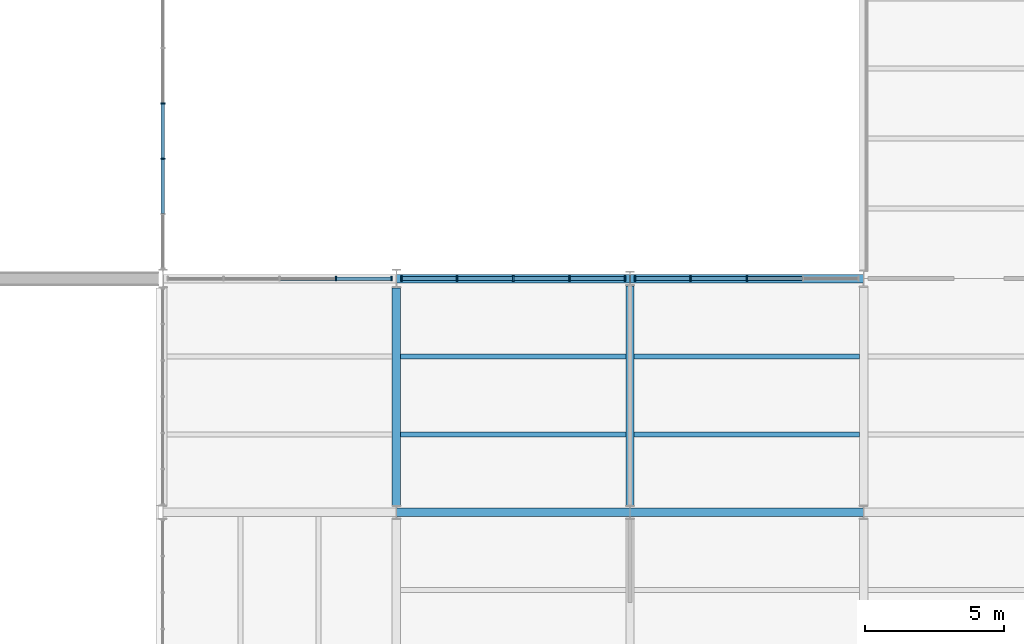
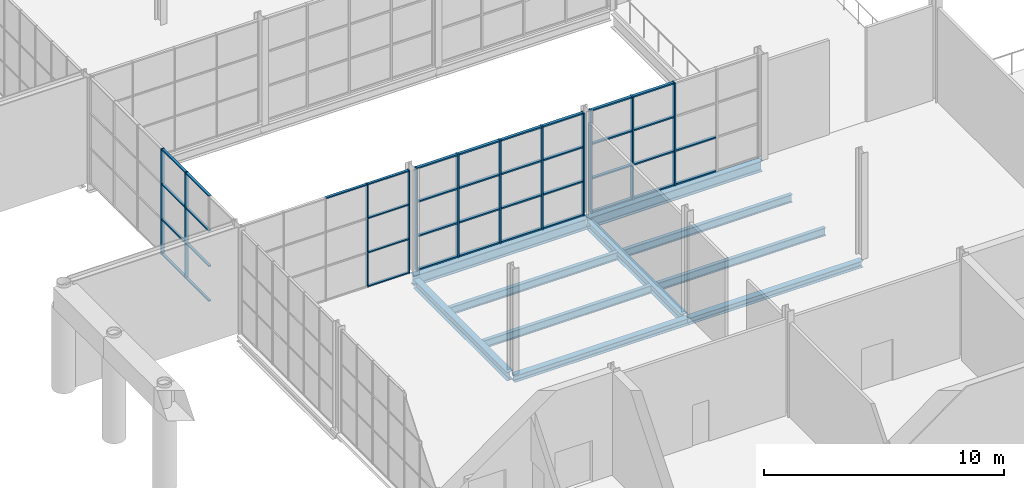
# One storey, part 12 of 64: 51 members, 10 beams, 4 elements without a shape of their own.
"""IFC4 building model written with IfcOpenShell, lengths in metres."""

from ifc_helpers import new_model, si_unit, direction, frame, origin, origin_2d, place, context, subcontext, project, spatial, rectangle, i_section, extrude, material, layer, layer_set, material_profile, profile_set, type_object, element, aggregate, save


model = new_model("IFC4")

# Units and contexts
model_context = context("Model", 3, precision=1e-05, world=origin(), true_north=direction((0.0, 1.0)))
body_context = subcontext(model_context, "Body", "Model", "MODEL_VIEW")
ifc_project = project(units=[si_unit("LENGTHUNIT", "METRE"), si_unit("AREAUNIT", "SQUARE_METRE"), si_unit("VOLUMEUNIT", "CUBIC_METRE"), si_unit("PLANEANGLEUNIT", "RADIAN"), si_unit("MASSUNIT", "GRAM", prefix="KILO")], contexts=[model_context])

# Site, building, storey
site_placement = place(None, origin())
site = spatial("IfcSite", under=ifc_project, at=site_placement, CompositionType="ELEMENT")
building_placement = place(site_placement, origin())
building = spatial("IfcBuilding", under=site, at=building_placement, Name="Galleria Vessillo Department Store", CompositionType="ELEMENT")
storey_placement = place(building_placement, frame((0.0, 0.0, 6.0)))
storey = spatial("IfcBuildingStorey", under=building, at=storey_placement, Name="L01", CompositionType="ELEMENT", Elevation=6.0)

# Curtain wall, members
ifc_material_1 = material(Name="Aluminium and glass curtain wall", Category="aluminium")
ifc_layer_1 = layer(ifc_material_1, 0.159912109375)
ifc_layer_set_1 = layer_set([ifc_layer_1], Name="Aluminium and glass curtain wall")
curtain_wall_type_1 = type_object("IfcCurtainWallType", Name="Arcade portal glazing CW2 2100 module", PredefinedType="NOTDEFINED", material=ifc_layer_set_1)
curtain_wall_1_placement = place(storey_placement, origin())
curtain_wall_1 = element("IfcCurtainWall", 1, at=curtain_wall_1_placement, inside=storey, type_object=curtain_wall_type_1, Name="Arcade portal glazing CW2 2100 module PW-W-S-L01-01", PredefinedType="NOTDEFINED")
ifc_material_2 = material(Name="Aluminium alloy 6063 T6", Category="aluminium")
ifc_material_profile_1 = material_profile(ifc_material_2, rectangle(XDim=0.159912109375, YDim=0.050048828125, at=origin_2d()), Name="AL 50x160")
ifc_profile_set_1 = profile_set([ifc_material_profile_1], Name="Aluminium alloy 6063 T6")
member_type_1 = type_object("IfcMemberType", Name="Aluminium mullion 50 x 160", PredefinedType="MULLION", material=ifc_profile_set_1)
member_1_placement = place(storey_placement, frame((14.623779296875, 25.199951171875, 0.0), z_axis=(0.0, 0.0, 1.0), x_axis=(0.0, 1.0, 0.0)))
member_1 = element("IfcMember", 2, at=member_1_placement, type_object=member_type_1, Name="CW2 mullion 4", PredefinedType="MULLION", context=body_context, shape_type="SweptSolid", body=[
    extrude(rectangle(XDim=0.159912109375, YDim=0.050048828125, at=origin_2d()), origin(), (0.0, 0.0, 1.0), 5.25),
])
member_2_placement = place(storey_placement, frame((16.62255859375, 25.199951171875, 0.0), z_axis=(0.0, 0.0, 1.0), x_axis=(0.0, 1.0, 0.0)))
member_2 = element("IfcMember", 3, at=member_2_placement, type_object=member_type_1, Name="CW2 mullion 5", PredefinedType="MULLION", context=body_context, shape_type="SweptSolid", body=[
    extrude(rectangle(XDim=0.159912109375, YDim=0.050048828125, at=origin_2d()), origin(), (0.0, 0.0, 1.0), 5.25),
])

curtain_wall_2_placement = place(storey_placement, origin())
curtain_wall_2 = element("IfcCurtainWall", 4, at=curtain_wall_2_placement, inside=storey, type_object=curtain_wall_type_1, Name="Arcade portal glazing CW2 2100 module SCR-W-L01-01", PredefinedType="NOTDEFINED")
member_3_placement = place(storey_placement, frame((8.39990234375, 29.51123046875, 0.0), z_axis=(0.0, 0.0, 1.0), x_axis=(-1.0, 0.0, 0.0)))
member_3 = element("IfcMember", 5, at=member_3_placement, type_object=member_type_1, Name="CW2 mullion 3", PredefinedType="MULLION", context=body_context, shape_type="SweptSolid", body=[
    extrude(rectangle(XDim=0.159912109375, YDim=0.050048828125, at=origin_2d()), origin(), (0.0, 0.0, 1.0), 5.39990234375),
])
member_4_placement = place(storey_placement, frame((8.39990234375, 31.5, 0.0), z_axis=(0.0, 0.0, 1.0), x_axis=(-1.0, 0.0, 0.0)))
member_4 = element("IfcMember", 6, at=member_4_placement, type_object=member_type_1, Name="CW2 mullion 4", PredefinedType="MULLION", context=body_context, shape_type="SweptSolid", body=[
    extrude(rectangle(XDim=0.159912109375, YDim=0.050048828125, at=origin_2d()), origin(), (0.0, 0.0, 1.0), 5.39990234375),
])

ifc_material_3 = material(Name="Aluminium and glass curtain wall", Category="aluminium")
ifc_layer_2 = layer(ifc_material_3, 0.199951171875)
ifc_layer_set_2 = layer_set([ifc_layer_2], Name="Aluminium and glass curtain wall")
curtain_wall_type_2 = type_object("IfcCurtainWallType", Name="Arcade curtain wall CW1 2100 module", PredefinedType="NOTDEFINED", material=ifc_layer_set_2)
curtain_wall_3_placement = place(storey_placement, origin())
curtain_wall_3 = element("IfcCurtainWall", 7, at=curtain_wall_3_placement, inside=storey, type_object=curtain_wall_type_2, Name="Arcade curtain wall CW1 2100 module AI-AW-S-L01-01", PredefinedType="NOTDEFINED")
ifc_material_4 = material(Name="Aluminium alloy 6063 T6", Category="aluminium")
ifc_material_profile_2 = material_profile(ifc_material_4, rectangle(XDim=0.199951171875, YDim=0.06005859375, at=origin_2d()), Name="AL 60x200")
ifc_profile_set_2 = profile_set([ifc_material_profile_2], Name="Aluminium alloy 6063 T6")
member_type_2 = type_object("IfcMemberType", Name="Aluminium mullion 60 x 200", PredefinedType="MULLION", material=ifc_profile_set_2)
member_5_placement = place(storey_placement, frame((16.982666015625, 25.199951171875, 0.0), z_axis=(0.0, 0.0, 1.0), x_axis=(0.0, 1.0, 0.0)))
member_5 = element("IfcMember", 8, at=member_5_placement, type_object=member_type_2, Name="CW1 mullion 1", PredefinedType="MULLION", context=body_context, shape_type="SweptSolid", body=[
    extrude(rectangle(XDim=0.199951171875, YDim=0.06005859375, at=origin_2d()), origin(), (0.0, 0.0, 1.0), 5.25),
])
member_6_placement = place(storey_placement, frame((18.97607421875, 25.199951171875, 0.0), z_axis=(0.0, 0.0, 1.0), x_axis=(0.0, 1.0, 0.0)))
member_6 = element("IfcMember", 9, at=member_6_placement, type_object=member_type_2, Name="CW1 mullion 2", PredefinedType="MULLION", context=body_context, shape_type="SweptSolid", body=[
    extrude(rectangle(XDim=0.199951171875, YDim=0.06005859375, at=origin_2d()), origin(), (0.0, 0.0, 1.0), 5.25),
])
member_7_placement = place(storey_placement, frame((20.999755859375, 25.199951171875, 0.0), z_axis=(0.0, 0.0, 1.0), x_axis=(0.0, 1.0, 0.0)))
member_7 = element("IfcMember", 10, at=member_7_placement, type_object=member_type_2, Name="CW1 mullion 3", PredefinedType="MULLION", context=body_context, shape_type="SweptSolid", body=[
    extrude(rectangle(XDim=0.199951171875, YDim=0.06005859375, at=origin_2d()), origin(), (0.0, 0.0, 1.0), 5.25),
])
member_8_placement = place(storey_placement, frame((23.0234375, 25.199951171875, 0.0), z_axis=(0.0, 0.0, 1.0), x_axis=(0.0, 1.0, 0.0)))
member_8 = element("IfcMember", 11, at=member_8_placement, type_object=member_type_2, Name="CW1 mullion 4", PredefinedType="MULLION", context=body_context, shape_type="SweptSolid", body=[
    extrude(rectangle(XDim=0.199951171875, YDim=0.06005859375, at=origin_2d()), origin(), (0.0, 0.0, 1.0), 5.25),
])
member_9_placement = place(storey_placement, frame((25.016845703125, 25.199951171875, 0.0), z_axis=(0.0, 0.0, 1.0), x_axis=(0.0, 1.0, 0.0)))
member_9 = element("IfcMember", 12, at=member_9_placement, type_object=member_type_2, Name="CW1 mullion 5", PredefinedType="MULLION", context=body_context, shape_type="SweptSolid", body=[
    extrude(rectangle(XDim=0.199951171875, YDim=0.06005859375, at=origin_2d()), origin(), (0.0, 0.0, 1.0), 5.25),
])

curtain_wall_4_placement = place(storey_placement, origin())
curtain_wall_4 = element("IfcCurtainWall", 13, at=curtain_wall_4_placement, inside=storey, type_object=curtain_wall_type_2, Name="Arcade curtain wall CW1 2100 module AI-AW-S-L01-02", PredefinedType="NOTDEFINED")
member_10_placement = place(storey_placement, frame((25.383056640625, 25.199951171875, 0.0), z_axis=(0.0, 0.0, 1.0), x_axis=(0.0, 1.0, 0.0)))
member_10 = element("IfcMember", 14, at=member_10_placement, type_object=member_type_2, Name="CW1 mullion 1", PredefinedType="MULLION", context=body_context, shape_type="SweptSolid", body=[
    extrude(rectangle(XDim=0.199951171875, YDim=0.06005859375, at=origin_2d()), origin(), (0.0, 0.0, 1.0), 5.25),
])
member_11_placement = place(storey_placement, frame((27.376708984375, 25.199951171875, 0.0), z_axis=(0.0, 0.0, 1.0), x_axis=(0.0, 1.0, 0.0)))
member_11 = element("IfcMember", 15, at=member_11_placement, type_object=member_type_2, Name="CW1 mullion 2", PredefinedType="MULLION", context=body_context, shape_type="SweptSolid", body=[
    extrude(rectangle(XDim=0.199951171875, YDim=0.06005859375, at=origin_2d()), origin(), (0.0, 0.0, 1.0), 5.25),
])
member_12_placement = place(storey_placement, frame((29.400390625, 25.199951171875, 0.0), z_axis=(0.0, 0.0, 1.0), x_axis=(0.0, 1.0, 0.0)))
member_12 = element("IfcMember", 16, at=member_12_placement, type_object=member_type_2, Name="CW1 mullion 3", PredefinedType="MULLION", context=body_context, shape_type="SweptSolid", body=[
    extrude(rectangle(XDim=0.199951171875, YDim=0.06005859375, at=origin_2d()), origin(), (0.0, 0.0, 1.0), 5.25),
])

# Member
ifc_material_5 = material(Name="Aluminium alloy 6063 T6", Category="aluminium")
ifc_material_profile_3 = material_profile(ifc_material_5, rectangle(XDim=0.1201171875, YDim=0.06005859375, at=origin_2d()), Name="AL 60x120")
ifc_profile_set_3 = profile_set([ifc_material_profile_3], Name="Aluminium alloy 6063 T6")
member_type_3 = type_object("IfcMemberType", Name="Aluminium transom 60 x 120", PredefinedType="USERDEFINED", material=ifc_profile_set_3)
member_13_placement = place(storey_placement, frame((12.625, 25.199951171875, 5.219970703125), z_axis=(1.0, 0.0, 0.0), x_axis=(0.0, 1.0, 0.0)))
member_13 = element("IfcMember", 17, at=member_13_placement, type_object=member_type_3, Name="CW2 transom 3.4", ObjectType="TRANSOM", PredefinedType="USERDEFINED", context=body_context, shape_type="SweptSolid", body=[
    extrude(rectangle(XDim=0.1201171875, YDim=0.06005859375, at=origin_2d()), origin(), (0.0, 0.0, 1.0), 1.9736328125),
])

member_14_placement = place(storey_placement, frame((14.648681640625, 25.199951171875, 0.030029296875), z_axis=(1.0, 0.0, 0.0), x_axis=(0.0, 1.0, 0.0)))
member_14 = element("IfcMember", 18, at=member_14_placement, type_object=member_type_3, Name="CW2 transom 4.1", ObjectType="TRANSOM", PredefinedType="USERDEFINED", context=body_context, shape_type="SweptSolid", body=[
    extrude(rectangle(XDim=0.1201171875, YDim=0.06005859375, at=origin_2d()), origin(), (0.0, 0.0, 1.0), 1.94873046875),
])

member_15_placement = place(storey_placement, frame((14.648681640625, 25.199951171875, 1.75), z_axis=(1.0, 0.0, 0.0), x_axis=(0.0, 1.0, 0.0)))
member_15 = element("IfcMember", 19, at=member_15_placement, type_object=member_type_3, Name="CW2 transom 4.2", ObjectType="TRANSOM", PredefinedType="USERDEFINED", context=body_context, shape_type="SweptSolid", body=[
    extrude(rectangle(XDim=0.1201171875, YDim=0.06005859375, at=origin_2d()), origin(), (0.0, 0.0, 1.0), 1.94873046875),
])

member_16_placement = place(storey_placement, frame((14.648681640625, 25.199951171875, 3.5), z_axis=(1.0, 0.0, 0.0), x_axis=(0.0, 1.0, 0.0)))
member_16 = element("IfcMember", 20, at=member_16_placement, type_object=member_type_3, Name="CW2 transom 4.3", ObjectType="TRANSOM", PredefinedType="USERDEFINED", context=body_context, shape_type="SweptSolid", body=[
    extrude(rectangle(XDim=0.1201171875, YDim=0.06005859375, at=origin_2d()), origin(), (0.0, 0.0, 1.0), 1.94873046875),
])

member_17_placement = place(storey_placement, frame((14.648681640625, 25.199951171875, 5.219970703125), z_axis=(1.0, 0.0, 0.0), x_axis=(0.0, 1.0, 0.0)))
member_17 = element("IfcMember", 21, at=member_17_placement, type_object=member_type_3, Name="CW2 transom 4.4", ObjectType="TRANSOM", PredefinedType="USERDEFINED", context=body_context, shape_type="SweptSolid", body=[
    extrude(rectangle(XDim=0.1201171875, YDim=0.06005859375, at=origin_2d()), origin(), (0.0, 0.0, 1.0), 1.94873046875),
])

aggregate(curtain_wall_1, [member_1, member_2, member_13, member_14, member_15, member_16, member_17])

member_18_placement = place(storey_placement, frame((8.39990234375, 27.547607421875, 0.030029296875), z_axis=(0.0, 1.0, 0.0), x_axis=(-1.0, 0.0, 0.0)))
member_18 = element("IfcMember", 22, at=member_18_placement, type_object=member_type_3, Name="CW2 transom 2.1", ObjectType="TRANSOM", PredefinedType="USERDEFINED", context=body_context, shape_type="SweptSolid", body=[
    extrude(rectangle(XDim=0.1201171875, YDim=0.06005859375, at=origin_2d()), origin(), (0.0, 0.0, 1.0), 1.938720703125),
])

member_19_placement = place(storey_placement, frame((8.39990234375, 27.547607421875, 1.800048828125), z_axis=(0.0, 1.0, 0.0), x_axis=(-1.0, 0.0, 0.0)))
member_19 = element("IfcMember", 23, at=member_19_placement, type_object=member_type_3, Name="CW2 transom 2.2", ObjectType="TRANSOM", PredefinedType="USERDEFINED", context=body_context, shape_type="SweptSolid", body=[
    extrude(rectangle(XDim=0.1201171875, YDim=0.06005859375, at=origin_2d()), origin(), (0.0, 0.0, 1.0), 1.938720703125),
])

member_20_placement = place(storey_placement, frame((8.39990234375, 27.547607421875, 3.599853515625), z_axis=(0.0, 1.0, 0.0), x_axis=(-1.0, 0.0, 0.0)))
member_20 = element("IfcMember", 24, at=member_20_placement, type_object=member_type_3, Name="CW2 transom 2.3", ObjectType="TRANSOM", PredefinedType="USERDEFINED", context=body_context, shape_type="SweptSolid", body=[
    extrude(rectangle(XDim=0.1201171875, YDim=0.06005859375, at=origin_2d()), origin(), (0.0, 0.0, 1.0), 1.938720703125),
])

member_21_placement = place(storey_placement, frame((8.39990234375, 27.547607421875, 5.369873046875), z_axis=(0.0, 1.0, 0.0), x_axis=(-1.0, 0.0, 0.0)))
member_21 = element("IfcMember", 25, at=member_21_placement, type_object=member_type_3, Name="CW2 transom 2.4", ObjectType="TRANSOM", PredefinedType="USERDEFINED", context=body_context, shape_type="SweptSolid", body=[
    extrude(rectangle(XDim=0.1201171875, YDim=0.06005859375, at=origin_2d()), origin(), (0.0, 0.0, 1.0), 1.938720703125),
])

member_22_placement = place(storey_placement, frame((8.39990234375, 29.536376953125, 0.030029296875), z_axis=(0.0, 1.0, 0.0), x_axis=(-1.0, 0.0, 0.0)))
member_22 = element("IfcMember", 26, at=member_22_placement, type_object=member_type_3, Name="CW2 transom 3.1", ObjectType="TRANSOM", PredefinedType="USERDEFINED", context=body_context, shape_type="SweptSolid", body=[
    extrude(rectangle(XDim=0.1201171875, YDim=0.06005859375, at=origin_2d()), origin(), (0.0, 0.0, 1.0), 1.938720703125),
])

member_23_placement = place(storey_placement, frame((8.39990234375, 29.536376953125, 1.800048828125), z_axis=(0.0, 1.0, 0.0), x_axis=(-1.0, 0.0, 0.0)))
member_23 = element("IfcMember", 27, at=member_23_placement, type_object=member_type_3, Name="CW2 transom 3.2", ObjectType="TRANSOM", PredefinedType="USERDEFINED", context=body_context, shape_type="SweptSolid", body=[
    extrude(rectangle(XDim=0.1201171875, YDim=0.06005859375, at=origin_2d()), origin(), (0.0, 0.0, 1.0), 1.938720703125),
])

member_24_placement = place(storey_placement, frame((8.39990234375, 29.536376953125, 3.599853515625), z_axis=(0.0, 1.0, 0.0), x_axis=(-1.0, 0.0, 0.0)))
member_24 = element("IfcMember", 28, at=member_24_placement, type_object=member_type_3, Name="CW2 transom 3.3", ObjectType="TRANSOM", PredefinedType="USERDEFINED", context=body_context, shape_type="SweptSolid", body=[
    extrude(rectangle(XDim=0.1201171875, YDim=0.06005859375, at=origin_2d()), origin(), (0.0, 0.0, 1.0), 1.938720703125),
])

member_25_placement = place(storey_placement, frame((8.39990234375, 29.536376953125, 5.369873046875), z_axis=(0.0, 1.0, 0.0), x_axis=(-1.0, 0.0, 0.0)))
member_25 = element("IfcMember", 29, at=member_25_placement, type_object=member_type_3, Name="CW2 transom 3.4", ObjectType="TRANSOM", PredefinedType="USERDEFINED", context=body_context, shape_type="SweptSolid", body=[
    extrude(rectangle(XDim=0.1201171875, YDim=0.06005859375, at=origin_2d()), origin(), (0.0, 0.0, 1.0), 1.938720703125),
])

aggregate(curtain_wall_2, [member_3, member_4, member_18, member_19, member_20, member_21, member_22, member_23, member_24, member_25])

ifc_material_6 = material(Name="Aluminium alloy 6063 T6", Category="aluminium")
ifc_material_profile_4 = material_profile(ifc_material_6, rectangle(XDim=0.139892578125, YDim=0.070068359375, at=origin_2d()), Name="AL 70x140")
ifc_profile_set_4 = profile_set([ifc_material_profile_4], Name="Aluminium alloy 6063 T6")
member_type_4 = type_object("IfcMemberType", Name="Aluminium transom 70 x 140", PredefinedType="USERDEFINED", material=ifc_profile_set_4)
member_26_placement = place(storey_placement, frame((17.0126953125, 25.199951171875, 0.034912109375), z_axis=(1.0, 0.0, 0.0), x_axis=(0.0, 1.0, 0.0)))
member_26 = element("IfcMember", 30, at=member_26_placement, type_object=member_type_4, Name="CW1 transom 1.1", ObjectType="TRANSOM", PredefinedType="USERDEFINED", context=body_context, shape_type="SweptSolid", body=[
    extrude(rectangle(XDim=0.139892578125, YDim=0.070068359375, at=origin_2d()), origin(), (0.0, 0.0, 1.0), 1.93359375),
])

member_27_placement = place(storey_placement, frame((17.0126953125, 25.199951171875, 1.75), z_axis=(1.0, 0.0, 0.0), x_axis=(0.0, 1.0, 0.0)))
member_27 = element("IfcMember", 31, at=member_27_placement, type_object=member_type_4, Name="CW1 transom 1.2", ObjectType="TRANSOM", PredefinedType="USERDEFINED", context=body_context, shape_type="SweptSolid", body=[
    extrude(rectangle(XDim=0.139892578125, YDim=0.070068359375, at=origin_2d()), origin(), (0.0, 0.0, 1.0), 1.93359375),
])

member_28_placement = place(storey_placement, frame((17.0126953125, 25.199951171875, 3.5), z_axis=(1.0, 0.0, 0.0), x_axis=(0.0, 1.0, 0.0)))
member_28 = element("IfcMember", 32, at=member_28_placement, type_object=member_type_4, Name="CW1 transom 1.3", ObjectType="TRANSOM", PredefinedType="USERDEFINED", context=body_context, shape_type="SweptSolid", body=[
    extrude(rectangle(XDim=0.139892578125, YDim=0.070068359375, at=origin_2d()), origin(), (0.0, 0.0, 1.0), 1.93359375),
])

member_29_placement = place(storey_placement, frame((17.0126953125, 25.199951171875, 5.215087890625), z_axis=(1.0, 0.0, 0.0), x_axis=(0.0, 1.0, 0.0)))
member_29 = element("IfcMember", 33, at=member_29_placement, type_object=member_type_4, Name="CW1 transom 1.4", ObjectType="TRANSOM", PredefinedType="USERDEFINED", context=body_context, shape_type="SweptSolid", body=[
    extrude(rectangle(XDim=0.139892578125, YDim=0.070068359375, at=origin_2d()), origin(), (0.0, 0.0, 1.0), 1.93359375),
])

member_30_placement = place(storey_placement, frame((19.006103515625, 25.199951171875, 0.034912109375), z_axis=(1.0, 0.0, 0.0), x_axis=(0.0, 1.0, 0.0)))
member_30 = element("IfcMember", 34, at=member_30_placement, type_object=member_type_4, Name="CW1 transom 2.1", ObjectType="TRANSOM", PredefinedType="USERDEFINED", context=body_context, shape_type="SweptSolid", body=[
    extrude(rectangle(XDim=0.139892578125, YDim=0.070068359375, at=origin_2d()), origin(), (0.0, 0.0, 1.0), 1.963623046875),
])

member_31_placement = place(storey_placement, frame((19.006103515625, 25.199951171875, 1.75), z_axis=(1.0, 0.0, 0.0), x_axis=(0.0, 1.0, 0.0)))
member_31 = element("IfcMember", 35, at=member_31_placement, type_object=member_type_4, Name="CW1 transom 2.2", ObjectType="TRANSOM", PredefinedType="USERDEFINED", context=body_context, shape_type="SweptSolid", body=[
    extrude(rectangle(XDim=0.139892578125, YDim=0.070068359375, at=origin_2d()), origin(), (0.0, 0.0, 1.0), 1.963623046875),
])

member_32_placement = place(storey_placement, frame((19.006103515625, 25.199951171875, 3.5), z_axis=(1.0, 0.0, 0.0), x_axis=(0.0, 1.0, 0.0)))
member_32 = element("IfcMember", 36, at=member_32_placement, type_object=member_type_4, Name="CW1 transom 2.3", ObjectType="TRANSOM", PredefinedType="USERDEFINED", context=body_context, shape_type="SweptSolid", body=[
    extrude(rectangle(XDim=0.139892578125, YDim=0.070068359375, at=origin_2d()), origin(), (0.0, 0.0, 1.0), 1.963623046875),
])

member_33_placement = place(storey_placement, frame((19.006103515625, 25.199951171875, 5.215087890625), z_axis=(1.0, 0.0, 0.0), x_axis=(0.0, 1.0, 0.0)))
member_33 = element("IfcMember", 37, at=member_33_placement, type_object=member_type_4, Name="CW1 transom 2.4", ObjectType="TRANSOM", PredefinedType="USERDEFINED", context=body_context, shape_type="SweptSolid", body=[
    extrude(rectangle(XDim=0.139892578125, YDim=0.070068359375, at=origin_2d()), origin(), (0.0, 0.0, 1.0), 1.963623046875),
])

member_34_placement = place(storey_placement, frame((21.02978515625, 25.199951171875, 0.034912109375), z_axis=(1.0, 0.0, 0.0), x_axis=(0.0, 1.0, 0.0)))
member_34 = element("IfcMember", 38, at=member_34_placement, type_object=member_type_4, Name="CW1 transom 3.1", ObjectType="TRANSOM", PredefinedType="USERDEFINED", context=body_context, shape_type="SweptSolid", body=[
    extrude(rectangle(XDim=0.139892578125, YDim=0.070068359375, at=origin_2d()), origin(), (0.0, 0.0, 1.0), 1.963623046875),
])

member_35_placement = place(storey_placement, frame((21.02978515625, 25.199951171875, 1.75), z_axis=(1.0, 0.0, 0.0), x_axis=(0.0, 1.0, 0.0)))
member_35 = element("IfcMember", 39, at=member_35_placement, type_object=member_type_4, Name="CW1 transom 3.2", ObjectType="TRANSOM", PredefinedType="USERDEFINED", context=body_context, shape_type="SweptSolid", body=[
    extrude(rectangle(XDim=0.139892578125, YDim=0.070068359375, at=origin_2d()), origin(), (0.0, 0.0, 1.0), 1.963623046875),
])

member_36_placement = place(storey_placement, frame((21.02978515625, 25.199951171875, 3.5), z_axis=(1.0, 0.0, 0.0), x_axis=(0.0, 1.0, 0.0)))
member_36 = element("IfcMember", 40, at=member_36_placement, type_object=member_type_4, Name="CW1 transom 3.3", ObjectType="TRANSOM", PredefinedType="USERDEFINED", context=body_context, shape_type="SweptSolid", body=[
    extrude(rectangle(XDim=0.139892578125, YDim=0.070068359375, at=origin_2d()), origin(), (0.0, 0.0, 1.0), 1.963623046875),
])

member_37_placement = place(storey_placement, frame((21.02978515625, 25.199951171875, 5.215087890625), z_axis=(1.0, 0.0, 0.0), x_axis=(0.0, 1.0, 0.0)))
member_37 = element("IfcMember", 41, at=member_37_placement, type_object=member_type_4, Name="CW1 transom 3.4", ObjectType="TRANSOM", PredefinedType="USERDEFINED", context=body_context, shape_type="SweptSolid", body=[
    extrude(rectangle(XDim=0.139892578125, YDim=0.070068359375, at=origin_2d()), origin(), (0.0, 0.0, 1.0), 1.963623046875),
])

member_38_placement = place(storey_placement, frame((23.05322265625, 25.199951171875, 0.034912109375), z_axis=(1.0, 0.0, 0.0), x_axis=(0.0, 1.0, 0.0)))
member_38 = element("IfcMember", 42, at=member_38_placement, type_object=member_type_4, Name="CW1 transom 4.1", ObjectType="TRANSOM", PredefinedType="USERDEFINED", context=body_context, shape_type="SweptSolid", body=[
    extrude(rectangle(XDim=0.139892578125, YDim=0.070068359375, at=origin_2d()), origin(), (0.0, 0.0, 1.0), 1.93359375),
])

member_39_placement = place(storey_placement, frame((23.05322265625, 25.199951171875, 1.75), z_axis=(1.0, 0.0, 0.0), x_axis=(0.0, 1.0, 0.0)))
member_39 = element("IfcMember", 43, at=member_39_placement, type_object=member_type_4, Name="CW1 transom 4.2", ObjectType="TRANSOM", PredefinedType="USERDEFINED", context=body_context, shape_type="SweptSolid", body=[
    extrude(rectangle(XDim=0.139892578125, YDim=0.070068359375, at=origin_2d()), origin(), (0.0, 0.0, 1.0), 1.93359375),
])

member_40_placement = place(storey_placement, frame((23.05322265625, 25.199951171875, 3.5), z_axis=(1.0, 0.0, 0.0), x_axis=(0.0, 1.0, 0.0)))
member_40 = element("IfcMember", 44, at=member_40_placement, type_object=member_type_4, Name="CW1 transom 4.3", ObjectType="TRANSOM", PredefinedType="USERDEFINED", context=body_context, shape_type="SweptSolid", body=[
    extrude(rectangle(XDim=0.139892578125, YDim=0.070068359375, at=origin_2d()), origin(), (0.0, 0.0, 1.0), 1.93359375),
])

member_41_placement = place(storey_placement, frame((23.05322265625, 25.199951171875, 5.215087890625), z_axis=(1.0, 0.0, 0.0), x_axis=(0.0, 1.0, 0.0)))
member_41 = element("IfcMember", 45, at=member_41_placement, type_object=member_type_4, Name="CW1 transom 4.4", ObjectType="TRANSOM", PredefinedType="USERDEFINED", context=body_context, shape_type="SweptSolid", body=[
    extrude(rectangle(XDim=0.139892578125, YDim=0.070068359375, at=origin_2d()), origin(), (0.0, 0.0, 1.0), 1.93359375),
])

aggregate(curtain_wall_3, [member_5, member_6, member_7, member_8, member_9, member_26, member_27, member_28, member_29, member_30, member_31, member_32, member_33, member_34, member_35, member_36, member_37, member_38, member_39, member_40, member_41])

member_42_placement = place(storey_placement, frame((25.4130859375, 25.199951171875, 0.034912109375), z_axis=(1.0, 0.0, 0.0), x_axis=(0.0, 1.0, 0.0)))
member_42 = element("IfcMember", 46, at=member_42_placement, type_object=member_type_4, Name="CW1 transom 1.1", ObjectType="TRANSOM", PredefinedType="USERDEFINED", context=body_context, shape_type="SweptSolid", body=[
    extrude(rectangle(XDim=0.139892578125, YDim=0.070068359375, at=origin_2d()), origin(), (0.0, 0.0, 1.0), 1.93359375),
])

member_43_placement = place(storey_placement, frame((25.4130859375, 25.199951171875, 1.75), z_axis=(1.0, 0.0, 0.0), x_axis=(0.0, 1.0, 0.0)))
member_43 = element("IfcMember", 47, at=member_43_placement, type_object=member_type_4, Name="CW1 transom 1.2", ObjectType="TRANSOM", PredefinedType="USERDEFINED", context=body_context, shape_type="SweptSolid", body=[
    extrude(rectangle(XDim=0.139892578125, YDim=0.070068359375, at=origin_2d()), origin(), (0.0, 0.0, 1.0), 1.93359375),
])

member_44_placement = place(storey_placement, frame((25.4130859375, 25.199951171875, 3.5), z_axis=(1.0, 0.0, 0.0), x_axis=(0.0, 1.0, 0.0)))
member_44 = element("IfcMember", 48, at=member_44_placement, type_object=member_type_4, Name="CW1 transom 1.3", ObjectType="TRANSOM", PredefinedType="USERDEFINED", context=body_context, shape_type="SweptSolid", body=[
    extrude(rectangle(XDim=0.139892578125, YDim=0.070068359375, at=origin_2d()), origin(), (0.0, 0.0, 1.0), 1.93359375),
])

member_45_placement = place(storey_placement, frame((25.4130859375, 25.199951171875, 5.215087890625), z_axis=(1.0, 0.0, 0.0), x_axis=(0.0, 1.0, 0.0)))
member_45 = element("IfcMember", 49, at=member_45_placement, type_object=member_type_4, Name="CW1 transom 1.4", ObjectType="TRANSOM", PredefinedType="USERDEFINED", context=body_context, shape_type="SweptSolid", body=[
    extrude(rectangle(XDim=0.139892578125, YDim=0.070068359375, at=origin_2d()), origin(), (0.0, 0.0, 1.0), 1.93359375),
])

member_46_placement = place(storey_placement, frame((27.40673828125, 25.199951171875, 0.034912109375), z_axis=(1.0, 0.0, 0.0), x_axis=(0.0, 1.0, 0.0)))
member_46 = element("IfcMember", 50, at=member_46_placement, type_object=member_type_4, Name="CW1 transom 2.1", ObjectType="TRANSOM", PredefinedType="USERDEFINED", context=body_context, shape_type="SweptSolid", body=[
    extrude(rectangle(XDim=0.139892578125, YDim=0.070068359375, at=origin_2d()), origin(), (0.0, 0.0, 1.0), 1.963623046875),
])

member_47_placement = place(storey_placement, frame((27.40673828125, 25.199951171875, 1.75), z_axis=(1.0, 0.0, 0.0), x_axis=(0.0, 1.0, 0.0)))
member_47 = element("IfcMember", 51, at=member_47_placement, type_object=member_type_4, Name="CW1 transom 2.2", ObjectType="TRANSOM", PredefinedType="USERDEFINED", context=body_context, shape_type="SweptSolid", body=[
    extrude(rectangle(XDim=0.139892578125, YDim=0.070068359375, at=origin_2d()), origin(), (0.0, 0.0, 1.0), 1.963623046875),
])

member_48_placement = place(storey_placement, frame((27.40673828125, 25.199951171875, 3.5), z_axis=(1.0, 0.0, 0.0), x_axis=(0.0, 1.0, 0.0)))
member_48 = element("IfcMember", 52, at=member_48_placement, type_object=member_type_4, Name="CW1 transom 2.3", ObjectType="TRANSOM", PredefinedType="USERDEFINED", context=body_context, shape_type="SweptSolid", body=[
    extrude(rectangle(XDim=0.139892578125, YDim=0.070068359375, at=origin_2d()), origin(), (0.0, 0.0, 1.0), 1.963623046875),
])

member_49_placement = place(storey_placement, frame((27.40673828125, 25.199951171875, 5.215087890625), z_axis=(1.0, 0.0, 0.0), x_axis=(0.0, 1.0, 0.0)))
member_49 = element("IfcMember", 53, at=member_49_placement, type_object=member_type_4, Name="CW1 transom 2.4", ObjectType="TRANSOM", PredefinedType="USERDEFINED", context=body_context, shape_type="SweptSolid", body=[
    extrude(rectangle(XDim=0.139892578125, YDim=0.070068359375, at=origin_2d()), origin(), (0.0, 0.0, 1.0), 1.963623046875),
])

member_50_placement = place(storey_placement, frame((29.43017578125, 25.199951171875, 0.034912109375), z_axis=(1.0, 0.0, 0.0), x_axis=(0.0, 1.0, 0.0)))
member_50 = element("IfcMember", 54, at=member_50_placement, type_object=member_type_4, Name="CW1 transom 3.1", ObjectType="TRANSOM", PredefinedType="USERDEFINED", context=body_context, shape_type="SweptSolid", body=[
    extrude(rectangle(XDim=0.139892578125, YDim=0.070068359375, at=origin_2d()), origin(), (0.0, 0.0, 1.0), 1.963623046875),
])

member_51_placement = place(storey_placement, frame((29.43017578125, 25.199951171875, 1.75), z_axis=(1.0, 0.0, 0.0), x_axis=(0.0, 1.0, 0.0)))
member_51 = element("IfcMember", 55, at=member_51_placement, type_object=member_type_4, Name="CW1 transom 3.2", ObjectType="TRANSOM", PredefinedType="USERDEFINED", context=body_context, shape_type="SweptSolid", body=[
    extrude(rectangle(XDim=0.139892578125, YDim=0.070068359375, at=origin_2d()), origin(), (0.0, 0.0, 1.0), 1.963623046875),
])

aggregate(curtain_wall_4, [member_10, member_11, member_12, member_42, member_43, member_44, member_45, member_46, member_47, member_48, member_49, member_50, member_51])

# Beams
ifc_material_7 = material(Name="Steel S355 J2", Category="steel")
ifc_material_profile_5 = material_profile(ifc_material_7, i_section(OverallWidth=0.300048828125, OverallDepth=0.43994140625, WebThickness=0.011474609375, FlangeThickness=0.02099609375, FilletRadius=0.027099609375, at=origin_2d()), Name="HEA 450")
ifc_profile_set_5 = profile_set([ifc_material_profile_5], Name="Steel S355 J2")
beam_type_1 = type_object("IfcBeamType", Name="Floor girder HEA 450", PredefinedType="BEAM", material=ifc_profile_set_5)
beam_1_placement = place(storey_placement, frame((16.800048828125, 17.050048828125, -0.369873046875), z_axis=(0.0, 1.0, 0.0), x_axis=(-1.0, 0.0, 0.0)))
element("IfcBeam", 56, at=beam_1_placement, inside=storey, type_object=beam_type_1, Name="S-BM-L01-GI-y16800-17050", PredefinedType="BEAM", context=body_context, shape_type="SweptSolid", body=[
    extrude(i_section(OverallWidth=0.300048828125, OverallDepth=0.43994140625, WebThickness=0.011474609375, FlangeThickness=0.02099609375, FilletRadius=0.027099609375, at=origin_2d()), origin(), (0.0, 0.0, 1.0), 7.81591796875),
])
beam_2_placement = place(storey_placement, frame((25.199951171875, 17.050048828125, -0.369873046875), z_axis=(0.0, 1.0, 0.0), x_axis=(-1.0, 0.0, 0.0)))
element("IfcBeam", 57, at=beam_2_placement, inside=storey, type_object=beam_type_1, Name="S-BM-L01-GI-y25200-17050", PredefinedType="BEAM", context=body_context, shape_type="SweptSolid", body=[
    extrude(i_section(OverallWidth=0.300048828125, OverallDepth=0.43994140625, WebThickness=0.011474609375, FlangeThickness=0.02099609375, FilletRadius=0.027099609375, at=origin_2d()), origin(), (0.0, 0.0, 1.0), 7.887939453125),
])
ifc_material_8 = material(Name="Steel S355 J2", Category="steel")
ifc_material_profile_6 = material_profile(ifc_material_8, i_section(OverallWidth=0.179931640625, OverallDepth=0.39990234375, WebThickness=0.008544921875, FlangeThickness=0.013427734375, FilletRadius=0.02099609375, at=origin_2d()), Name="IPE 400")
ifc_profile_set_6 = profile_set([ifc_material_profile_6], Name="Steel S355 J2")
beam_type_2 = type_object("IfcBeamType", Name="Floor joist IPE 400", PredefinedType="JOIST", material=ifc_profile_set_6)
for number, where, z_axis, x_axis, name in (
    (58, (16.9501953125, 19.60009765625, -0.349853515625), (1.0, 0.0, 0.0), (0.0, 1.0, 0.0), "S-BM-L01-JO-x19600-16950"),
    (59, (16.9501953125, 22.39990234375, -0.349853515625), (1.0, 0.0, 0.0), (0.0, 1.0, 0.0), "S-BM-L01-JO-x22400-16950"),
):
    element("IfcBeam", number, at=place(storey_placement, frame(where, z_axis=z_axis, x_axis=x_axis)), inside=storey, type_object=beam_type_2, Name=name, PredefinedType="JOIST", context=body_context, shape_type="SweptSolid", body=[
        extrude(i_section(OverallWidth=0.179931640625, OverallDepth=0.39990234375, WebThickness=0.008544921875, FlangeThickness=0.013427734375, FilletRadius=0.02099609375, at=origin_2d()), origin(), (0.0, 0.0, 1.0), 8.099609375),
    ])
for number, where, z_axis, x_axis, name in (
    (60, (25.35009765625, 19.60009765625, -0.349853515625), (1.0, 0.0, 0.0), (0.0, 1.0, 0.0), "S-BM-L01-JO-x19600-25350"),
    (61, (25.35009765625, 22.39990234375, -0.349853515625), (1.0, 0.0, 0.0), (0.0, 1.0, 0.0), "S-BM-L01-JO-x22400-25350"),
):
    element("IfcBeam", number, at=place(storey_placement, frame(where, z_axis=z_axis, x_axis=x_axis)), inside=storey, type_object=beam_type_2, Name=name, PredefinedType="JOIST", context=body_context, shape_type="SweptSolid", body=[
        extrude(i_section(OverallWidth=0.179931640625, OverallDepth=0.39990234375, WebThickness=0.008544921875, FlangeThickness=0.013427734375, FilletRadius=0.02099609375, at=origin_2d()), origin(), (0.0, 0.0, 1.0), 8.099853515625),
    ])
ifc_material_9 = material(Name="Steel S355 J2", Category="steel")
ifc_material_profile_7 = material_profile(ifc_material_9, i_section(OverallWidth=0.300048828125, OverallDepth=0.330078125, WebThickness=0.009521484375, FlangeThickness=0.0166015625, FilletRadius=0.027099609375, at=origin_2d()), Name="HEA 340")
ifc_profile_set_7 = profile_set([ifc_material_profile_7], Name="Steel S355 J2")
beam_type_3 = type_object("IfcBeamType", Name="Floor tie girder HEA 340", PredefinedType="BEAM", material=ifc_profile_set_7)
for number, where, z_axis, x_axis, name in (
    (62, (16.807373046875, 16.800048828125, -0.31494140625), (1.0, 0.0, 0.0), (0.0, 1.0, 0.0), "S-BM-L01-TI-x16800-16807"),
    (63, (25.207275390625, 16.800048828125, -0.31494140625), (1.0, 0.0, 0.0), (0.0, 1.0, 0.0), "S-BM-L01-TI-x16800-25207"),
):
    element("IfcBeam", number, at=place(storey_placement, frame(where, z_axis=z_axis, x_axis=x_axis)), inside=storey, type_object=beam_type_3, Name=name, PredefinedType="BEAM", context=body_context, shape_type="SweptSolid", body=[
        extrude(i_section(OverallWidth=0.300048828125, OverallDepth=0.330078125, WebThickness=0.009521484375, FlangeThickness=0.0166015625, FilletRadius=0.027099609375, at=origin_2d()), origin(), (0.0, 0.0, 1.0), 8.38525390625),
    ])
ifc_material_10 = material(Name="Steel S355 J2", Category="steel")
ifc_material_profile_8 = material_profile(ifc_material_10, i_section(OverallWidth=0.300048828125, OverallDepth=0.5400390625, WebThickness=0.012451171875, FlangeThickness=0.02392578125, FilletRadius=0.027099609375, at=origin_2d()), Name="HEA 550")
ifc_profile_set_8 = profile_set([ifc_material_profile_8], Name="Steel S355 J2")
beam_type_4 = type_object("IfcBeamType", Name="Trimmer beam HEA 550", PredefinedType="BEAM", material=ifc_profile_set_8)
beam_3_placement = place(storey_placement, frame((16.810546875, 25.199951171875, -0.419921875), z_axis=(1.0, 0.0, 0.0), x_axis=(0.0, 1.0, 0.0)))
element("IfcBeam", 64, at=beam_3_placement, inside=storey, type_object=beam_type_4, Name="S-BM-L01-TR-x25200-16811", PredefinedType="BEAM", context=body_context, shape_type="SweptSolid", body=[
    extrude(i_section(OverallWidth=0.300048828125, OverallDepth=0.5400390625, WebThickness=0.012451171875, FlangeThickness=0.02392578125, FilletRadius=0.027099609375, at=origin_2d()), origin(), (0.0, 0.0, 1.0), 8.37890625),
])
beam_4_placement = place(storey_placement, frame((25.210693359375, 25.199951171875, -0.419921875), z_axis=(1.0, 0.0, 0.0), x_axis=(0.0, 1.0, 0.0)))
element("IfcBeam", 65, at=beam_4_placement, inside=storey, type_object=beam_type_4, Name="S-BM-L01-TR-x25200-25211", PredefinedType="BEAM", context=body_context, shape_type="SweptSolid", body=[
    extrude(i_section(OverallWidth=0.300048828125, OverallDepth=0.5400390625, WebThickness=0.012451171875, FlangeThickness=0.02392578125, FilletRadius=0.027099609375, at=origin_2d()), origin(), (0.0, 0.0, 1.0), 8.378662109375),
])

save(model, "model.ifc")
